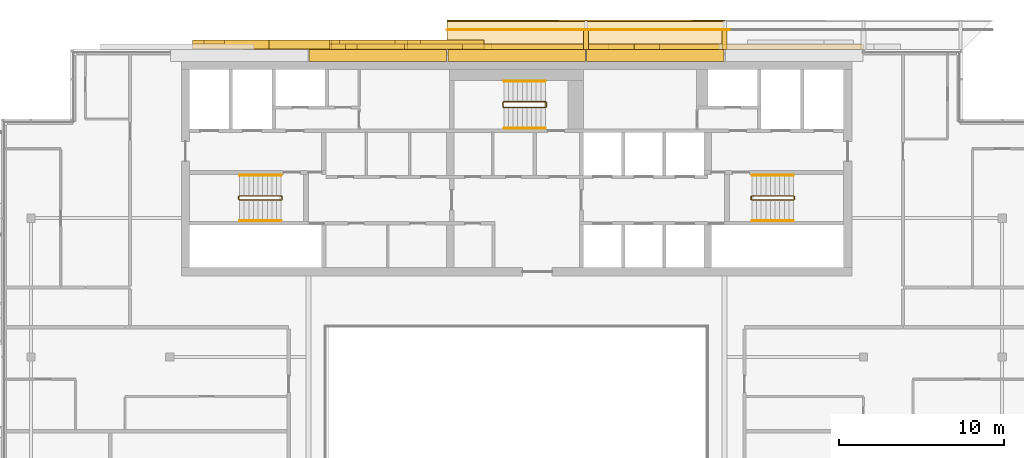
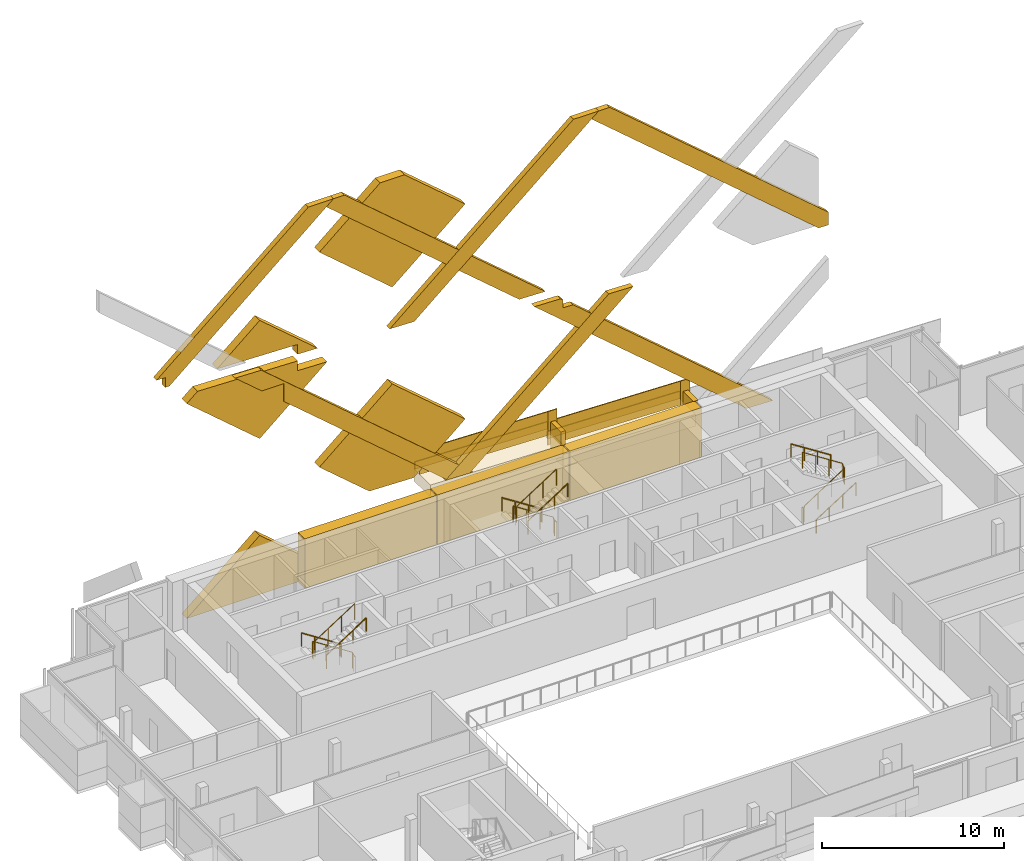
# One storey, part 20 of 22: 21 coverings, 13 railings.
"""IFC4 building model written with IfcOpenShell, lengths in metres."""

from ifc_helpers import new_model, si_unit, direction, frame, origin, origin_2d, place, context, subcontext, project, spatial, polyline, rectangle, circle, outline, extrude, material, layer, layer_set, type_object, element, save


model = new_model("IFC4")

# Units and contexts
model_context = context("Model", 3, precision=1e-05, world=origin(), true_north=direction((0.0, 1.0)))
body_context = subcontext(model_context, "Body", "Model", "MODEL_VIEW")
ifc_project = project(units=[si_unit("LENGTHUNIT", "METRE"), si_unit("AREAUNIT", "SQUARE_METRE"), si_unit("VOLUMEUNIT", "CUBIC_METRE"), si_unit("PLANEANGLEUNIT", "RADIAN"), si_unit("MASSUNIT", "GRAM", prefix="KILO")], contexts=[model_context])

# Site, building, storey
site_placement = place(None, origin())
site = spatial("IfcSite", under=ifc_project, at=site_placement, CompositionType="ELEMENT")
building_placement = place(site_placement, origin())
building = spatial("IfcBuilding", under=site, at=building_placement, Name="Saffron Gate Tower", CompositionType="ELEMENT")
storey_placement = place(building_placement, frame((0.0, 0.0, 285.14990234375)))
storey = spatial("IfcBuildingStorey", under=building, at=storey_placement, Name="L69", CompositionType="ELEMENT", Elevation=285.14990234375)

# Coverings
ifc_material_1 = material(Name="Ceramic-printed bronze insulated panel")
ifc_layer_1 = layer(ifc_material_1, 0.739990234375)
ifc_layer_set_1 = layer_set([ifc_layer_1], Name="CLD5 ceramic-printed cladding panel 740")
covering_type_1 = type_object("IfcCoveringType", Name="CLD5 ceramic-printed cladding panel 740", PredefinedType="CLADDING", material=ifc_layer_set_1)
covering_1_placement = place(storey_placement, origin())
element("IfcCovering", 1, at=covering_1_placement, inside=storey, type_object=covering_type_1, Name="CLADDING ceramic-printed panel", PredefinedType="CLADDING", context=body_context, shape_type="SweptSolid", body=[
    extrude(outline(polyline([(100.1650390625, 75.639892578125), (91.8349609375, 75.639892578125), (91.8349609375, 74.89990234375), (100.1650390625, 74.89990234375), (100.1650390625, 75.639892578125)])), origin(), (0.0, 0.0, 1.0), 3.320068359375),
])
covering_2_placement = place(storey_placement, origin())
element("IfcCovering", 2, at=covering_2_placement, inside=storey, type_object=covering_type_1, Name="CLADDING ceramic-printed panel", PredefinedType="CLADDING", context=body_context, shape_type="SweptSolid", body=[
    extrude(outline(polyline([(91.764892578125, 75.639892578125), (83.43505859375, 75.639892578125), (83.43505859375, 74.89990234375), (91.764892578125, 74.89990234375), (91.764892578125, 75.639892578125)])), origin(), (0.0, 0.0, 1.0), 3.320068359375),
])
covering_3_placement = place(storey_placement, origin())
element("IfcCovering", 3, at=covering_3_placement, inside=storey, type_object=covering_type_1, Name="CLADDING ceramic-printed panel", PredefinedType="CLADDING", context=body_context, shape_type="SweptSolid", body=[
    extrude(outline(polyline([(83.364990234375, 75.639892578125), (75.034912109375, 75.639892578125), (75.034912109375, 74.89990234375), (83.364990234375, 74.89990234375), (83.364990234375, 75.639892578125)])), origin(), (0.0, 0.0, 1.0), 3.320068359375),
])

# Railings
ifc_material_2 = material(Name="Stainless steel and laminated glass", Category="steel")
railing_type_1 = type_object("IfcRailingType", Name="CR1 Stair guard 1100", PredefinedType="GUARDRAIL", material=ifc_material_2)
railing_1_placement = place(storey_placement, frame((73.39990234375, 66.550048828125, 0.0)))
element("IfcRailing", 4, at=railing_1_placement, inside=storey, type_object=railing_type_1, Name="L69 ST-A stair guard 1", PredefinedType="GUARDRAIL", context=body_context, shape_type="SweptSolid", body=[
    extrude(circle(Radius=0.02392578125, at=origin_2d()), frame((0.0, 0.0, 1.076171875), z_axis=(0.0, 1.0, 0.0), x_axis=(-1.0, 0.0, 0.0)), (0.0, 0.0, 1.0), 0.14990234375),
    extrude(circle(Radius=0.02392578125, at=origin_2d()), frame((0.0, 0.14990234375, 1.076171875), z_axis=(-0.257366384619, 0.258627984543, 0.931060744355), x_axis=(-0.708833529934, -0.705375805398, 0.0)), (0.0, 0.0, 1.0), 0.193603515625),
    extrude(circle(Radius=0.02392578125, at=origin_2d()), frame((-0.0498046875, 0.199951171875, 1.25634765625), z_axis=(-0.841199657755, 0.0, 0.540724639528), x_axis=(0.0, -1.0, 0.0)), (0.0, 0.0, 1.0), 2.995849609375),
    extrude(circle(Radius=0.02392578125, at=origin_2d()), frame((-2.56982421875, 0.199951171875, 2.8759765625), z_axis=(-0.707106781187, -0.707106781187, 0.0), x_axis=(0.707106781187, -0.707106781187, 0.0)), (0.0, 0.0, 1.0), 0.07080078125),
    extrude(circle(Radius=0.02392578125, at=origin_2d()), frame((-2.619873046875, 0.14990234375, 2.8759765625), z_axis=(0.0, -1.0, 0.0), x_axis=(1.0, 0.0, 0.0)), (0.0, 0.0, 1.0), 0.14990234375),
    extrude(circle(Radius=0.02392578125, at=origin_2d()), frame((-2.619873046875, 0.0, 2.8759765625), z_axis=(0.258847668887, -0.258847668887, 0.930588936439), x_axis=(0.707106781187, 0.707106781187, 0.0)), (0.0, 0.0, 1.0), 0.193359375),
    extrude(circle(Radius=0.02392578125, at=origin_2d()), frame((-2.56982421875, -0.050048828125, 3.05615234375), z_axis=(0.841162588446, 0.0, 0.540782303519), x_axis=(0.0, 1.0, 0.0)), (0.0, 0.0, 1.0), 2.995849609375),
    extrude(circle(Radius=0.02099609375, at=origin_2d()), origin(), (0.0, 0.0, 1.0), 1.052001953125),
    extrude(circle(Radius=0.02099609375, at=origin_2d()), frame((0.0, 0.14990234375, 0.0)), (0.0, 0.0, 1.0), 1.052001953125),
    extrude(circle(Radius=0.02099609375, at=origin_2d()), frame((-0.0498046875, 0.199951171875, 0.18017578125)), (0.0, 0.0, 1.0), 1.052001953125),
    extrude(circle(Radius=0.02099609375, at=origin_2d()), frame((-0.889892578125, 0.199951171875, 0.72021484375)), (0.0, 0.0, 1.0), 1.052001953125),
    extrude(circle(Radius=0.02099609375, at=origin_2d()), frame((-1.729736328125, 0.199951171875, 1.260009765625)), (0.0, 0.0, 1.0), 1.052001953125),
    extrude(circle(Radius=0.02099609375, at=origin_2d()), frame((-2.56982421875, 0.199951171875, 1.800048828125)), (0.0, 0.0, 1.0), 1.052001953125),
    extrude(circle(Radius=0.02099609375, at=origin_2d()), frame((-2.619873046875, 0.14990234375, 1.800048828125)), (0.0, 0.0, 1.0), 1.052001953125),
    extrude(circle(Radius=0.02099609375, at=origin_2d()), frame((-2.619873046875, 0.0, 1.800048828125)), (0.0, 0.0, 1.0), 1.052001953125),
    extrude(circle(Radius=0.02099609375, at=origin_2d()), frame((-2.56982421875, -0.050048828125, 1.97998046875)), (0.0, 0.0, 1.0), 1.052001953125),
    extrude(circle(Radius=0.02099609375, at=origin_2d()), frame((-1.729736328125, -0.050048828125, 2.52001953125)), (0.0, 0.0, 1.0), 1.052001953125),
    extrude(circle(Radius=0.02099609375, at=origin_2d()), frame((-0.889892578125, -0.050048828125, 3.06005859375)), (0.0, 0.0, 1.0), 1.052001953125),
    extrude(circle(Radius=0.02099609375, at=origin_2d()), frame((-0.0498046875, -0.050048828125, 3.60009765625)), (0.0, 0.0, 1.0), 1.052001953125),
])
railing_2_placement = place(storey_placement, frame((101.800048828125, 66.699951171875, 0.0)))
element("IfcRailing", 5, at=railing_2_placement, inside=storey, type_object=railing_type_1, Name="L69 ST-B stair guard 1", PredefinedType="GUARDRAIL", context=body_context, shape_type="SweptSolid", body=[
    extrude(circle(Radius=0.02392578125, at=origin_2d()), frame((0.0, 0.0, 1.076171875), z_axis=(0.0, -1.0, 0.0), x_axis=(1.0, 0.0, 0.0)), (0.0, 0.0, 1.0), 0.14990234375),
    extrude(circle(Radius=0.02392578125, at=origin_2d()), frame((0.0, -0.14990234375, 1.076171875), z_axis=(0.258543844998, -0.258543844998, 0.930757841991), x_axis=(0.707106781187, 0.707106781187, 0.0)), (0.0, 0.0, 1.0), 0.193603515625),
    extrude(circle(Radius=0.02392578125, at=origin_2d()), frame((0.050048828125, -0.199951171875, 1.25634765625), z_axis=(0.841199657755, 0.0, 0.540724639528), x_axis=(0.0, 1.0, 0.0)), (0.0, 0.0, 1.0), 2.995849609375),
    extrude(circle(Radius=0.02392578125, at=origin_2d()), frame((2.570068359375, -0.199951171875, 2.8759765625), z_axis=(0.705375805398, 0.708833529934, 0.0), x_axis=(-0.708833529934, 0.705375805398, 0.0)), (0.0, 0.0, 1.0), 0.070556640625),
    extrude(circle(Radius=0.02392578125, at=origin_2d()), frame((2.619873046875, -0.14990234375, 2.8759765625), z_axis=(0.0, 1.0, 0.0), x_axis=(-1.0, 0.0, 0.0)), (0.0, 0.0, 1.0), 0.14990234375),
    extrude(circle(Radius=0.02392578125, at=origin_2d()), frame((2.619873046875, 0.0, 2.8759765625), z_axis=(-0.257669022063, 0.258932105505, 0.930892496375), x_axis=(-0.708833529934, -0.705375805398, 0.0)), (0.0, 0.0, 1.0), 0.193359375),
    extrude(circle(Radius=0.02392578125, at=origin_2d()), frame((2.570068359375, 0.050048828125, 3.05615234375), z_axis=(-0.841162588446, 0.0, 0.540782303519), x_axis=(0.0, -1.0, 0.0)), (0.0, 0.0, 1.0), 2.995849609375),
    extrude(circle(Radius=0.02099609375, at=origin_2d()), origin(), (0.0, 0.0, 1.0), 1.052001953125),
    extrude(circle(Radius=0.02099609375, at=origin_2d()), frame((0.0, -0.14990234375, 0.0)), (0.0, 0.0, 1.0), 1.052001953125),
    extrude(circle(Radius=0.02099609375, at=origin_2d()), frame((0.050048828125, -0.199951171875, 0.18017578125)), (0.0, 0.0, 1.0), 1.052001953125),
    extrude(circle(Radius=0.02099609375, at=origin_2d()), frame((0.89013671875, -0.199951171875, 0.72021484375)), (0.0, 0.0, 1.0), 1.052001953125),
    extrude(circle(Radius=0.02099609375, at=origin_2d()), frame((1.72998046875, -0.199951171875, 1.260009765625)), (0.0, 0.0, 1.0), 1.052001953125),
    extrude(circle(Radius=0.02099609375, at=origin_2d()), frame((2.570068359375, -0.199951171875, 1.800048828125)), (0.0, 0.0, 1.0), 1.052001953125),
    extrude(circle(Radius=0.02099609375, at=origin_2d()), frame((2.619873046875, -0.14990234375, 1.800048828125)), (0.0, 0.0, 1.0), 1.052001953125),
    extrude(circle(Radius=0.02099609375, at=origin_2d()), frame((2.619873046875, 0.0, 1.800048828125)), (0.0, 0.0, 1.0), 1.052001953125),
    extrude(circle(Radius=0.02099609375, at=origin_2d()), frame((2.570068359375, 0.050048828125, 1.97998046875)), (0.0, 0.0, 1.0), 1.052001953125),
    extrude(circle(Radius=0.02099609375, at=origin_2d()), frame((1.72998046875, 0.050048828125, 2.52001953125)), (0.0, 0.0, 1.0), 1.052001953125),
    extrude(circle(Radius=0.02099609375, at=origin_2d()), frame((0.89013671875, 0.050048828125, 3.06005859375)), (0.0, 0.0, 1.0), 1.052001953125),
    extrude(circle(Radius=0.02099609375, at=origin_2d()), frame((0.050048828125, 0.050048828125, 3.60009765625)), (0.0, 0.0, 1.0), 1.052001953125),
])
railing_3_placement = place(storey_placement, frame((89.39990234375, 72.14990234375, 0.0)))
element("IfcRailing", 6, at=railing_3_placement, inside=storey, type_object=railing_type_1, Name="L69 ST-C stair guard 1", PredefinedType="GUARDRAIL", context=body_context, shape_type="SweptSolid", body=[
    extrude(circle(Radius=0.02392578125, at=origin_2d()), frame((0.0, 0.0, 1.076171875), z_axis=(0.0, 1.0, 0.0), x_axis=(-1.0, 0.0, 0.0)), (0.0, 0.0, 1.0), 0.25),
    extrude(circle(Radius=0.02392578125, at=origin_2d()), frame((0.0, 0.25, 1.076171875), z_axis=(-0.257366384619, 0.258627984543, 0.931060744355), x_axis=(-0.708833529934, -0.705375805398, 0.0)), (0.0, 0.0, 1.0), 0.193603515625),
    extrude(circle(Radius=0.02392578125, at=origin_2d()), frame((-0.0498046875, 0.300048828125, 1.25634765625), z_axis=(-0.841199657755, 0.0, 0.540724639528), x_axis=(0.0, -1.0, 0.0)), (0.0, 0.0, 1.0), 2.995849609375),
    extrude(circle(Radius=0.02392578125, at=origin_2d()), frame((-2.56982421875, 0.300048828125, 2.8759765625), z_axis=(-0.707106781187, -0.707106781187, 0.0), x_axis=(0.707106781187, -0.707106781187, 0.0)), (0.0, 0.0, 1.0), 0.07080078125),
    extrude(circle(Radius=0.02392578125, at=origin_2d()), frame((-2.619873046875, 0.25, 2.8759765625), z_axis=(0.0, -1.0, 0.0), x_axis=(1.0, 0.0, 0.0)), (0.0, 0.0, 1.0), 0.25),
    extrude(circle(Radius=0.02392578125, at=origin_2d()), frame((-2.619873046875, 0.0, 2.8759765625), z_axis=(0.258932105505, -0.257669022063, 0.930892496375), x_axis=(0.705375805398, 0.708833529934, 0.0)), (0.0, 0.0, 1.0), 0.193359375),
    extrude(circle(Radius=0.02392578125, at=origin_2d()), frame((-2.56982421875, -0.0498046875, 3.05615234375), z_axis=(0.841162588446, 0.0, 0.540782303519), x_axis=(0.0, 1.0, 0.0)), (0.0, 0.0, 1.0), 2.995849609375),
    extrude(circle(Radius=0.02099609375, at=origin_2d()), origin(), (0.0, 0.0, 1.0), 1.052001953125),
    extrude(circle(Radius=0.02099609375, at=origin_2d()), frame((0.0, 0.25, 0.0)), (0.0, 0.0, 1.0), 1.052001953125),
    extrude(circle(Radius=0.02099609375, at=origin_2d()), frame((-0.0498046875, 0.300048828125, 0.18017578125)), (0.0, 0.0, 1.0), 1.052001953125),
    extrude(circle(Radius=0.02099609375, at=origin_2d()), frame((-0.889892578125, 0.300048828125, 0.72021484375)), (0.0, 0.0, 1.0), 1.052001953125),
    extrude(circle(Radius=0.02099609375, at=origin_2d()), frame((-1.729736328125, 0.300048828125, 1.260009765625)), (0.0, 0.0, 1.0), 1.052001953125),
    extrude(circle(Radius=0.02099609375, at=origin_2d()), frame((-2.56982421875, 0.300048828125, 1.800048828125)), (0.0, 0.0, 1.0), 1.052001953125),
    extrude(circle(Radius=0.02099609375, at=origin_2d()), frame((-2.619873046875, 0.25, 1.800048828125)), (0.0, 0.0, 1.0), 1.052001953125),
    extrude(circle(Radius=0.02099609375, at=origin_2d()), frame((-2.619873046875, 0.0, 1.800048828125)), (0.0, 0.0, 1.0), 1.052001953125),
    extrude(circle(Radius=0.02099609375, at=origin_2d()), frame((-2.56982421875, -0.0498046875, 1.97998046875)), (0.0, 0.0, 1.0), 1.052001953125),
    extrude(circle(Radius=0.02099609375, at=origin_2d()), frame((-1.729736328125, -0.0498046875, 2.52001953125)), (0.0, 0.0, 1.0), 1.052001953125),
    extrude(circle(Radius=0.02099609375, at=origin_2d()), frame((-0.889892578125, -0.0498046875, 3.06005859375)), (0.0, 0.0, 1.0), 1.052001953125),
    extrude(circle(Radius=0.02099609375, at=origin_2d()), frame((-0.0498046875, -0.0498046875, 3.60009765625)), (0.0, 0.0, 1.0), 1.052001953125),
])
ifc_material_3 = material(Name="Stainless steel", Category="steel")
railing_type_2 = type_object("IfcRailingType", Name="CR2 Stair handrail 900", PredefinedType="HANDRAIL", material=ifc_material_3)
railing_4_placement = place(storey_placement, frame((73.35009765625, 68.0, 0.18017578125)))
element("IfcRailing", 7, at=railing_4_placement, inside=storey, type_object=railing_type_2, Name="L69 ST-A stair handrail 1", PredefinedType="HANDRAIL", context=body_context, shape_type="SweptSolid", body=[
    extrude(circle(Radius=0.02392578125, at=origin_2d()), frame((0.0, 0.0, 0.8759765625), z_axis=(-0.841199657755, 0.0, 0.540724639528), x_axis=(0.0, -1.0, 0.0)), (0.0, 0.0, 1.0), 2.995849609375),
    extrude(circle(Radius=0.02099609375, at=origin_2d()), origin(), (0.0, 0.0, 1.0), 0.851806640625),
    extrude(circle(Radius=0.02099609375, at=origin_2d()), frame((-0.840087890625, 0.0, 0.5400390625)), (0.0, 0.0, 1.0), 0.851806640625),
    extrude(circle(Radius=0.02099609375, at=origin_2d()), frame((-1.679931640625, 0.0, 1.079833984375)), (0.0, 0.0, 1.0), 0.851806640625),
    extrude(circle(Radius=0.02099609375, at=origin_2d()), frame((-2.52001953125, 0.0, 1.619873046875)), (0.0, 0.0, 1.0), 0.851806640625),
])
railing_5_placement = place(storey_placement, frame((70.830078125, 65.25, 1.97998046875)))
element("IfcRailing", 8, at=railing_5_placement, inside=storey, type_object=railing_type_2, Name="L69 ST-A stair handrail 2", PredefinedType="HANDRAIL", context=body_context, shape_type="SweptSolid", body=[
    extrude(circle(Radius=0.02392578125, at=origin_2d()), frame((0.0, 0.0, 0.8759765625), z_axis=(0.841162588446, 0.0, 0.540782303519), x_axis=(0.0, 1.0, 0.0)), (0.0, 0.0, 1.0), 2.995849609375),
    extrude(circle(Radius=0.02099609375, at=origin_2d()), origin(), (0.0, 0.0, 1.0), 0.851806640625),
    extrude(circle(Radius=0.02099609375, at=origin_2d()), frame((0.840087890625, 0.0, 0.5400390625)), (0.0, 0.0, 1.0), 0.851806640625),
    extrude(circle(Radius=0.02099609375, at=origin_2d()), frame((1.679931640625, 0.0, 1.080078125)), (0.0, 0.0, 1.0), 0.851806640625),
    extrude(circle(Radius=0.02099609375, at=origin_2d()), frame((2.52001953125, 0.0, 1.6201171875)), (0.0, 0.0, 1.0), 0.851806640625),
])
railing_6_placement = place(storey_placement, frame((101.85009765625, 65.25, 0.18017578125)))
element("IfcRailing", 9, at=railing_6_placement, inside=storey, type_object=railing_type_2, Name="L69 ST-B stair handrail 1", PredefinedType="HANDRAIL", context=body_context, shape_type="SweptSolid", body=[
    extrude(circle(Radius=0.02392578125, at=origin_2d()), frame((0.0, 0.0, 0.8759765625), z_axis=(0.841199657755, 0.0, 0.540724639528), x_axis=(0.0, 1.0, 0.0)), (0.0, 0.0, 1.0), 2.995849609375),
    extrude(circle(Radius=0.02099609375, at=origin_2d()), origin(), (0.0, 0.0, 1.0), 0.851806640625),
    extrude(circle(Radius=0.02099609375, at=origin_2d()), frame((0.840087890625, 0.0, 0.5400390625)), (0.0, 0.0, 1.0), 0.851806640625),
    extrude(circle(Radius=0.02099609375, at=origin_2d()), frame((1.679931640625, 0.0, 1.079833984375)), (0.0, 0.0, 1.0), 0.851806640625),
    extrude(circle(Radius=0.02099609375, at=origin_2d()), frame((2.52001953125, 0.0, 1.619873046875)), (0.0, 0.0, 1.0), 0.851806640625),
])
railing_7_placement = place(storey_placement, frame((104.3701171875, 68.0, 1.97998046875)))
element("IfcRailing", 10, at=railing_7_placement, inside=storey, type_object=railing_type_2, Name="L69 ST-B stair handrail 2", PredefinedType="HANDRAIL", context=body_context, shape_type="SweptSolid", body=[
    extrude(circle(Radius=0.02392578125, at=origin_2d()), frame((0.0, 0.0, 0.8759765625), z_axis=(-0.841162588446, 0.0, 0.540782303519), x_axis=(0.0, -1.0, 0.0)), (0.0, 0.0, 1.0), 2.995849609375),
    extrude(circle(Radius=0.02099609375, at=origin_2d()), origin(), (0.0, 0.0, 1.0), 0.851806640625),
    extrude(circle(Radius=0.02099609375, at=origin_2d()), frame((-0.840087890625, 0.0, 0.5400390625)), (0.0, 0.0, 1.0), 0.851806640625),
    extrude(circle(Radius=0.02099609375, at=origin_2d()), frame((-1.679931640625, 0.0, 1.080078125)), (0.0, 0.0, 1.0), 0.851806640625),
    extrude(circle(Radius=0.02099609375, at=origin_2d()), frame((-2.52001953125, 0.0, 1.6201171875)), (0.0, 0.0, 1.0), 0.851806640625),
])
railing_8_placement = place(storey_placement, frame((89.35009765625, 73.699951171875, 0.18017578125)))
element("IfcRailing", 11, at=railing_8_placement, inside=storey, type_object=railing_type_2, Name="L69 ST-C stair handrail 1", PredefinedType="HANDRAIL", context=body_context, shape_type="SweptSolid", body=[
    extrude(circle(Radius=0.02392578125, at=origin_2d()), frame((0.0, 0.0, 0.8759765625), z_axis=(-0.841199657755, 0.0, 0.540724639528), x_axis=(0.0, -1.0, 0.0)), (0.0, 0.0, 1.0), 2.995849609375),
    extrude(circle(Radius=0.02099609375, at=origin_2d()), origin(), (0.0, 0.0, 1.0), 0.851806640625),
    extrude(circle(Radius=0.02099609375, at=origin_2d()), frame((-0.840087890625, 0.0, 0.5400390625)), (0.0, 0.0, 1.0), 0.851806640625),
    extrude(circle(Radius=0.02099609375, at=origin_2d()), frame((-1.679931640625, 0.0, 1.079833984375)), (0.0, 0.0, 1.0), 0.851806640625),
    extrude(circle(Radius=0.02099609375, at=origin_2d()), frame((-2.52001953125, 0.0, 1.619873046875)), (0.0, 0.0, 1.0), 0.851806640625),
])
railing_9_placement = place(storey_placement, frame((86.830078125, 70.85009765625, 1.97998046875)))
element("IfcRailing", 12, at=railing_9_placement, inside=storey, type_object=railing_type_2, Name="L69 ST-C stair handrail 2", PredefinedType="HANDRAIL", context=body_context, shape_type="SweptSolid", body=[
    extrude(circle(Radius=0.02392578125, at=origin_2d()), frame((0.0, 0.0, 0.8759765625), z_axis=(0.841162588446, 0.0, 0.540782303519), x_axis=(0.0, 1.0, 0.0)), (0.0, 0.0, 1.0), 2.995849609375),
    extrude(circle(Radius=0.02099609375, at=origin_2d()), origin(), (0.0, 0.0, 1.0), 0.851806640625),
    extrude(circle(Radius=0.02099609375, at=origin_2d()), frame((0.840087890625, 0.0, 0.5400390625)), (0.0, 0.0, 1.0), 0.851806640625),
    extrude(circle(Radius=0.02099609375, at=origin_2d()), frame((1.679931640625, 0.0, 1.080078125)), (0.0, 0.0, 1.0), 0.851806640625),
    extrude(circle(Radius=0.02099609375, at=origin_2d()), frame((2.52001953125, 0.0, 1.6201171875)), (0.0, 0.0, 1.0), 0.851806640625),
])

# Coverings
ifc_material_4 = material(Name="Timber, thermally modified ash", Category="wood")
ifc_layer_2 = layer(ifc_material_4, 0.800048828125)
ifc_layer_set_2 = layer_set([ifc_layer_2], Name="LD1 ledge timber")
covering_type_2 = type_object("IfcCoveringType", Name="LD1 ledge timber", PredefinedType="CLADDING", material=ifc_layer_set_2)
covering_4_placement = place(storey_placement, frame((100.199951171875, 75.60009765625, 2.436767578125), z_axis=(0.028791175352, 0.0, 0.999585448184), x_axis=(-0.999585448184, 0.0, 0.028791175352)))
element("IfcCovering", 13, at=covering_4_placement, inside=storey, type_object=covering_type_2, Name="LEDGE", PredefinedType="CLADDING", context=body_context, shape_type="SweptSolid", body=[
    extrude(outline(polyline([(0.0, 0.0), (8.403385982666892, 0.0), (8.403385982666892, -1.7998046875), (0.0, -1.7998046875), (0.0, 0.0)])), origin(), (0.0, 0.0, -1.0), 0.800048828125),
])
covering_5_placement = place(storey_placement, frame((91.800048828125, 75.60009765625, 3.333251953125), z_axis=(0.028790339263, 0.0, 0.999585472266), x_axis=(-0.999585472266, 0.0, 0.028790339263)))
element("IfcCovering", 14, at=covering_5_placement, inside=storey, type_object=covering_type_2, Name="LEDGE", PredefinedType="CLADDING", context=body_context, shape_type="SweptSolid", body=[
    extrude(outline(polyline([(0.0, 0.0), (8.403630022085892, 0.0), (8.403630022085892, -1.7998046875), (0.0, -1.7998046875), (0.0, 0.0)])), origin(), (0.0, 0.0, -1.0), 0.800048828125),
])
ifc_layer_3 = layer(ifc_material_4, 0.080078125)
ifc_layer_set_3 = layer_set([ifc_layer_3], Name="LD2 ledge planter trough")
covering_type_3 = type_object("IfcCoveringType", Name="LD2 ledge planter trough", PredefinedType="CLADDING", material=ifc_layer_set_3)
covering_6_placement = place(storey_placement, frame((100.199951171875, 77.39990234375, 2.436767578125), z_axis=(0.0, 1.0, 0.0), x_axis=(-0.999585448184, 0.0, 0.028791175352)))
element("IfcCovering", 15, at=covering_6_placement, inside=storey, type_object=covering_type_3, Name="LEDGE planter trough", PredefinedType="CLADDING", context=body_context, shape_type="SweptSolid", body=[
    extrude(outline(polyline([(0.0, 0.0), (8.403385982666892, 0.0), (8.417781570342743, 0.49979272409216496), (0.014395587675851172, 0.4997927240921649), (0.0, 0.0)])), origin(), (0.0, 0.0, -1.0), 0.080078125),
])
covering_7_placement = place(storey_placement, frame((91.800048828125, 77.39990234375, 3.333251953125), z_axis=(0.0, 1.0, 0.0), x_axis=(-0.999585472266, 0.0, 0.028790339263)))
element("IfcCovering", 16, at=covering_7_placement, inside=storey, type_object=covering_type_3, Name="LEDGE planter trough", PredefinedType="CLADDING", context=body_context, shape_type="SweptSolid", body=[
    extrude(outline(polyline([(0.0, 0.0), (8.403630022085892, 0.0), (8.418025191717298, 0.4997927361329725), (0.014395169631405694, 0.4997927361329725), (0.0, 0.0)])), origin(), (0.0, 0.0, -1.0), 0.080078125),
])
ifc_layer_4 = layer(ifc_material_4, 0.300048828125)
ifc_layer_set_4 = layer_set([ifc_layer_4], Name="LD3 ledge riser fin")
covering_type_4 = type_object("IfcCoveringType", Name="LD3 ledge riser fin", PredefinedType="CLADDING", material=ifc_layer_set_4)
for number, where, z_axis, x_axis, name in (
    (17, (100.199951171875, 76.159912109375, 0.982421875), (0.0, 0.0, 1.0), (-1.0, 0.0, 0.0), "LEDGE riser fin"),
    (18, (91.800048828125, 76.159912109375, 1.878662109375), (0.0, 0.0, 1.0), (-1.0, 0.0, 0.0), "LEDGE riser fin"),
):
    element("IfcCovering", number, at=place(storey_placement, frame(where, z_axis=z_axis, x_axis=x_axis)), inside=storey, type_object=covering_type_4, Name=name, PredefinedType="CLADDING", context=body_context, shape_type="SweptSolid", body=[
        extrude(rectangle(XDim=0.300048828125, YDim=1.1201171875, at=origin_2d()), origin(), (0.0, 0.0, 1.0), 2.3544921875),
    ])

# Railings
railing_type_3 = type_object("IfcRailingType", Name="LG1 ledge balustrade", PredefinedType="BALUSTRADE", material=ifc_material_4)
railing_10_placement = place(storey_placement, frame((100.199951171875, 76.800048828125, 2.436767578125)))
element("IfcRailing", 19, at=railing_10_placement, inside=storey, type_object=railing_type_3, Name="LEDGE BALUSTRADE", PredefinedType="BALUSTRADE", context=body_context, shape_type="SweptSolid", body=[
    extrude(rectangle(XDim=0.06005859375, YDim=1.60009765625, at=origin_2d()), frame((0.0, 0.0, 0.800048828125), z_axis=(-0.999585448184, 0.0, 0.028791175352), x_axis=(0.0, -1.0, 0.0)), (0.0, 0.0, 1.0), 8.4033203125),
])
railing_11_placement = place(storey_placement, frame((100.5, 76.800048828125, 1.782470703125)))
element("IfcRailing", 20, at=railing_11_placement, inside=storey, type_object=railing_type_3, Name="LEDGE BALUSTRADE", PredefinedType="BALUSTRADE", context=body_context, shape_type="SweptSolid", body=[
    extrude(rectangle(XDim=0.06005859375, YDim=2.25439453125, at=origin_2d()), frame((0.0, 0.0, 1.127197265625), z_axis=(-1.0, 0.0, 0.0), x_axis=(0.0, -1.0, 0.0)), (0.0, 0.0, 1.0), 0.60009765625),
])
railing_12_placement = place(storey_placement, frame((91.800048828125, 76.800048828125, 3.333251953125)))
element("IfcRailing", 21, at=railing_12_placement, inside=storey, type_object=railing_type_3, Name="LEDGE BALUSTRADE", PredefinedType="BALUSTRADE", context=body_context, shape_type="SweptSolid", body=[
    extrude(rectangle(XDim=0.06005859375, YDim=1.60009765625, at=origin_2d()), frame((0.0, 0.0, 0.800048828125), z_axis=(-0.999585472266, 0.0, 0.028790339263), x_axis=(0.0, -1.0, 0.0)), (0.0, 0.0, 1.0), 8.403564453125),
])
railing_13_placement = place(storey_placement, frame((92.10009765625, 76.800048828125, 2.6787109375)))
element("IfcRailing", 22, at=railing_13_placement, inside=storey, type_object=railing_type_3, Name="LEDGE BALUSTRADE", PredefinedType="BALUSTRADE", context=body_context, shape_type="SweptSolid", body=[
    extrude(rectangle(XDim=0.06005859375, YDim=2.25439453125, at=origin_2d()), frame((0.0, 0.0, 1.127197265625), z_axis=(-1.0, 0.0, 0.0), x_axis=(0.0, -1.0, 0.0)), (0.0, 0.0, 1.0), 0.60009765625),
])

# Coverings
ifc_layer_5 = layer(ifc_material_1, 0.35009765625)
ifc_layer_set_5 = layer_set([ifc_layer_5], Name="LZ1 lozenge lattice bar 1600")
covering_type_5 = type_object("IfcCoveringType", Name="LZ1 lozenge lattice bar 1600", PredefinedType="CLADDING", material=ifc_layer_set_5)
covering_8_placement = place(storey_placement, frame((108.60009765625, 75.949951171875, 13.028564453125), z_axis=(0.0, 1.0, 0.0), x_axis=(0.0, 0.0, -1.0)))
element("IfcCovering", 23, at=covering_8_placement, inside=storey, type_object=covering_type_5, Name="CLADDING lozenge lattice bar", PredefinedType="CLADDING", context=body_context, shape_type="SweptSolid", body=[
    extrude(outline(polyline([(0.0, 0.0), (0.859130859375, 0.0), (0.84130859375, 0.618408203125), (-11.87158203125, 15.4501953125), (-11.87158203125, 13.85009765625), (0.0, 0.0)])), origin(), (0.0, 0.0, -1.0), 0.35009765625),
])
covering_9_placement = place(storey_placement, frame((105.0849609375, 75.949951171875, 1.6416015625), z_axis=(0.0, 1.0, 0.0), x_axis=(-0.999582655558, 0.0, 0.028887968223)))
element("IfcCovering", 24, at=covering_9_placement, inside=storey, type_object=covering_type_5, Name="CLADDING lozenge lattice bar", PredefinedType="CLADDING", context=body_context, shape_type="SweptSolid", body=[
    extrude(outline(polyline([(0.0, 0.0), (1.6564530302159628, 0.0), (15.42982438538059, 11.131907610113934), (13.77362244662551, 11.132144596121583), (13.608313947283174, 10.998436486085996), (13.593270481409162, 10.477901865894408), (12.964348838901888, 10.478003770597365), (0.0, 0.0)])), origin(), (0.0, 0.0, -1.0), 0.35009765625),
])
covering_10_placement = place(storey_placement, frame((90.6728515625, 75.949951171875, 13.99462890625), z_axis=(0.0, 1.0, 0.0), x_axis=(-0.999582532533, 0.0, 0.028892224801)))
element("IfcCovering", 25, at=covering_10_placement, inside=storey, type_object=covering_type_5, Name="CLADDING lozenge lattice bar", PredefinedType="CLADDING", context=body_context, shape_type="SweptSolid", body=[
    extrude(outline(polyline([(0.0, 0.0), (1.6562089914967124, 0.0), (14.63185928790315, 10.487148653699695), (13.032673659072127, 10.533371981122032), (0.0, 0.0)])), origin(), (0.0, 0.0, -1.0), 0.35009765625),
])
covering_11_placement = place(storey_placement, frame((86.120361328125, 75.949951171875, 3.496826171875), z_axis=(0.0, 1.0, 0.0), x_axis=(-0.999586778905, 0.0, 0.028744937603)))
element("IfcCovering", 26, at=covering_11_placement, inside=storey, type_object=covering_type_5, Name="CLADDING lozenge lattice bar", PredefinedType="CLADDING", context=body_context, shape_type="SweptSolid", body=[
    extrude(outline(polyline([(0.0, 0.0), (1.6562019557102479, 0.0), (12.2720431156273, 8.582672193203377), (12.306290013943476, 9.773586129008473), (13.695852298876718, 9.733626735768246), (15.427987322549535, 11.134122368181053), (13.771785366839287, 11.134122368181053), (0.0, 0.0)])), origin(), (0.0, 0.0, -1.0), 0.35009765625),
])
covering_12_placement = place(storey_placement, frame((85.887451171875, 75.949951171875, 3.503662109375), z_axis=(0.0, 1.0, 0.0), x_axis=(-0.999588349125, 0.0, 0.028690282217)))
element("IfcCovering", 27, at=covering_12_placement, inside=storey, type_object=covering_type_5, Name="CLADDING lozenge lattice bar", PredefinedType="CLADDING", context=body_context, shape_type="SweptSolid", body=[
    extrude(outline(polyline([(0.0, 0.0), (1.5487332405187242, 0.0), (-8.54805543483591, 9.169675124499888), (-10.096544635230336, 9.169668120036457), (0.0, 0.0)])), origin(), (0.0, 0.0, -1.0), 0.35009765625),
])
covering_13_placement = place(storey_placement, frame((82.36962890625, 75.949951171875, 14.888427734375), z_axis=(0.0, 1.0, 0.0), x_axis=(-0.999588219337, 0.0, 0.028694803773)))
element("IfcCovering", 28, at=covering_13_placement, inside=storey, type_object=covering_type_5, Name="CLADDING lozenge lattice bar", PredefinedType="CLADDING", context=body_context, shape_type="SweptSolid", body=[
    extrude(outline(polyline([(0.0, 0.0), (1.548489200410268, 0.0), (-9.78888707887557, 10.296848987189216), (-11.388325845851117, 10.342763475452552), (0.0, 0.0)])), origin(), (0.0, 0.0, -1.0), 0.35009765625),
])
covering_14_placement = place(storey_placement, frame((66.8544921875, 75.949951171875, 15.98974609375), z_axis=(0.0, 1.0, 0.0), x_axis=(-0.999585802775, 0.0, 0.028778861884)))
element("IfcCovering", 29, at=covering_14_placement, inside=storey, type_object=covering_type_5, Name="CLADDING lozenge lattice bar", PredefinedType="CLADDING", context=body_context, shape_type="SweptSolid", body=[
    extrude(outline(polyline([(0.0, 0.0), (0.25449994442082907, -8.673617379884035e-19), (0.27333688990698424, 0.6542699065524549), (0.8282513356898181, 0.6541691992720988), (-8.535335939593637, 9.1598316216073), (-10.13477083983414, 9.205880611057603), (0.0, 0.0)])), origin(), (0.0, 0.0, -1.0), 0.35009765625),
])
ifc_layer_6 = layer(ifc_material_1, 0.550048828125)
ifc_layer_set_6 = layer_set([ifc_layer_6], Name="LZ2 rear relief panel 550")
covering_type_6 = type_object("IfcCoveringType", Name="LZ2 rear relief panel 550", PredefinedType="CLADDING", material=ifc_layer_set_6)
covering_15_placement = place(storey_placement, frame((72.60009765625, 76.18994140625, 3.960205078125), z_axis=(0.0, 1.0, 0.0), x_axis=(0.759231112428, 0.0, -0.650821110537)))
element("IfcCovering", 30, at=covering_15_placement, inside=storey, type_object=covering_type_6, Name="CLADDING rear relief panel", PredefinedType="CLADDING", context=body_context, shape_type="SweptSolid", body=[
    extrude(outline(polyline([(0.0, 0.0), (6.0849364195568345, 4.440892098500626e-16), (-0.9303516449133986, 6.0135807056899875), (0.0, 0.0)])), origin(), (0.0, 0.0, -1.0), 0.550048828125),
])
covering_16_placement = place(storey_placement, frame((81.0, 76.18994140625, 11.16015625), z_axis=(0.0, 1.0, 0.0), x_axis=(0.759267930803, 0.0, -0.650778156712)))
element("IfcCovering", 31, at=covering_16_placement, inside=storey, type_object=covering_type_6, Name="CLADDING rear relief panel", PredefinedType="CLADDING", context=body_context, shape_type="SweptSolid", body=[
    extrude(outline(polyline([(0.0, 0.0), (6.08496289658029, 4.440892098500626e-16), (5.429066408345399, 4.2377854528629895), (3.2323762848290922, 6.013521087975717), (-0.9308507374614021, 6.013342694153257), (0.0, 0.0)])), origin(), (0.0, 0.0, -1.0), 0.550048828125),
])
covering_17_placement = place(storey_placement, frame((72.60009765625, 76.18994140625, 18.360107421875), z_axis=(0.0, 1.0, 0.0), x_axis=(0.759242341935, 0.0, -0.650808010256)))
element("IfcCovering", 32, at=covering_17_placement, inside=storey, type_object=covering_type_6, Name="CLADDING rear relief panel", PredefinedType="CLADDING", context=body_context, shape_type="SweptSolid", body=[
    extrude(outline(polyline([(0.0, 0.0), (4.8339848990391925, 4.440892098500626e-16), (3.845713632773023, 0.7988934878101501), (3.419891985437723, 0.30212359611439), (-0.5424347013957715, 3.5052977304996658), (0.0, 0.0)])), origin(), (0.0, 0.0, -1.0), 0.550048828125),
])
covering_18_placement = place(storey_placement, frame((68.665283203125, 76.18994140625, 14.987548828125), z_axis=(0.0, 1.0, 0.0), x_axis=(0.999585841062, 0.0, -0.028777532018)))
element("IfcCovering", 33, at=covering_18_placement, inside=storey, type_object=covering_type_6, Name="CLADDING rear relief panel", PredefinedType="CLADDING", context=body_context, shape_type="SweptSolid", body=[
    extrude(outline(polyline([(0.0, 0.0), (6.337341463487409, 0.0), (6.3561775385217025, 0.6542699316128695), (8.223161236304739, 0.6542536792416244), (4.064046706972536, 4.432245701191197), (-0.668114920367331, 0.6068803871994874), (0.0, 0.0)])), origin(), (0.0, 0.0, -1.0), 0.550048828125),
])
covering_19_placement = place(storey_placement, frame((76.3798828125, 76.18994140625, 21.60009765625), z_axis=(0.0, 1.0, 0.0), x_axis=(0.759260000885, 0.0, 0.650787408495)))
element("IfcCovering", 34, at=covering_19_placement, inside=storey, type_object=covering_type_6, Name="CLADDING rear relief panel", PredefinedType="CLADDING", context=body_context, shape_type="SweptSolid", body=[
    extrude(outline(polyline([(0.0, 0.0), (5.070855374655338, 4.440892098500626e-16), (6.240145434612473, 1.0022380304654783), (7.015740359742806, 6.013428182792867), (0.9307774636142612, 6.013354036308406), (0.0, 0.0)])), origin(), (0.0, 0.0, -1.0), 0.550048828125),
])

save(model, "model.ifc")
